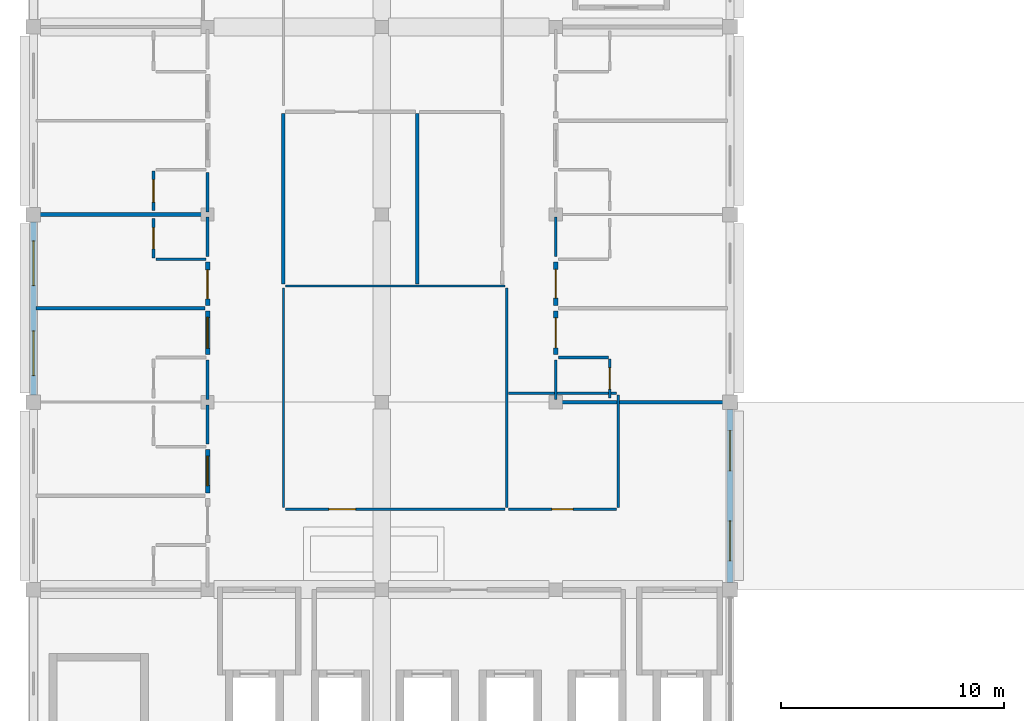
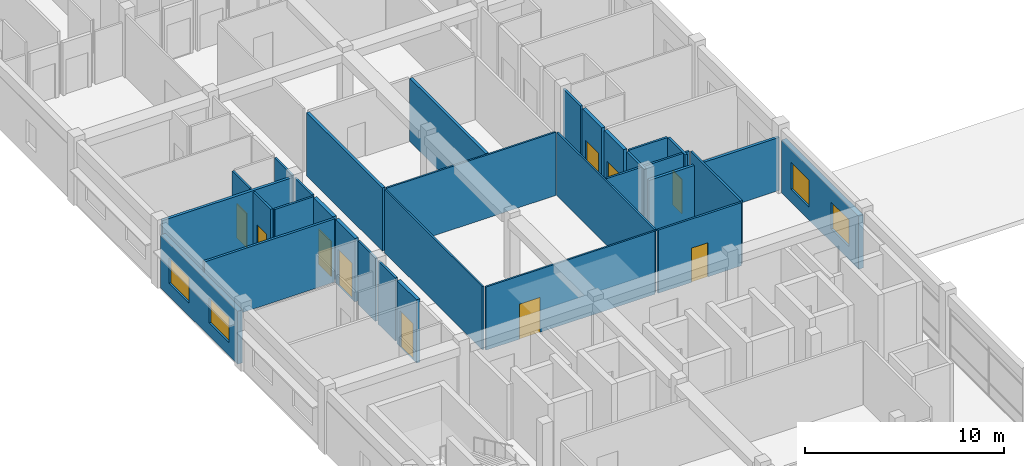
# One storey, part 15 of 32: 30 walls, 10 doors, 4 windows, 14 openings.
"""IFC4 building model written with IfcOpenShell, lengths in metres."""

from ifc_helpers import new_model, si_unit, direction, frame, frame_2d, origin, place, context, subcontext, project, spatial, rectangle, extrude, material, layer, layer_set, type_object, element, fill, save


model = new_model("IFC4")

# Units and contexts
model_context = context("Model", 3, precision=1e-05, world=origin(), true_north=direction((0.0, 1.0)))
body_context = subcontext(model_context, "Body", "Model", "MODEL_VIEW")
ifc_project = project(units=[si_unit("LENGTHUNIT", "METRE"), si_unit("AREAUNIT", "SQUARE_METRE"), si_unit("VOLUMEUNIT", "CUBIC_METRE"), si_unit("PLANEANGLEUNIT", "RADIAN"), si_unit("MASSUNIT", "GRAM", prefix="KILO"), si_unit("THERMODYNAMICTEMPERATUREUNIT", "KELVIN"), si_unit("POWERUNIT", "WATT")], contexts=[model_context])

# Site, building, storey
site_placement = place(None, origin())
site = spatial("IfcSite", under=ifc_project, at=site_placement, CompositionType="ELEMENT")
building_placement = place(site_placement, origin())
building = spatial("IfcBuilding", under=site, at=building_placement, Name="Srebrne Nadtorze General Hospital", CompositionType="ELEMENT")
storey_placement = place(building_placement, frame((0.0, 0.0, 29.699951171875)))
storey = spatial("IfcBuildingStorey", under=building, at=storey_placement, Name="L07", CompositionType="ELEMENT", Elevation=29.699951171875)

# Walls
ifc_material_1 = material(Name="Gypsum Healthcare Partition")
ifc_layer_1 = layer(ifc_material_1, 0.139892578125)
ifc_layer_set_1 = layer_set([ifc_layer_1], Name="Gypsum Healthcare Partition")
wall_type_1 = type_object("IfcWallType", Name="Clinical partition 140", PredefinedType="PARTITIONING", material=ifc_layer_set_1)
wall_1_placement = place(storey_placement, frame((23.52001953125, 63.0, 0.0), z_axis=(0.0, 0.0, 1.0), x_axis=(1.0, 0.0, 0.0)))
element("IfcWall", 1, at=wall_1_placement, inside=storey, type_object=wall_type_1, Name="Ward inter-room partition WL-INT-L07-2289", PredefinedType="PARTITIONING", context=body_context, shape_type="SweptSolid", body=[
    extrude(rectangle(XDim=7.56005859375, YDim=0.139892578125, at=frame_2d((3.780029296875, 0.0))), origin(), (0.0, 0.0, 1.0), 3.880126953125),
])
ifc_material_2 = material(Name="Gypsum Healthcare Partition")
ifc_layer_2 = layer(ifc_material_2, 0.159912109375)
ifc_layer_set_2 = layer_set([ifc_layer_2], Name="Gypsum Healthcare Partition")
wall_type_2 = type_object("IfcWallType", Name="Clinical partition 160", PredefinedType="PARTITIONING", material=ifc_layer_set_2)
wall_2_placement = place(storey_placement, frame((23.52001953125, 67.199951171875, 0.0), z_axis=(0.0, 0.0, 1.0), x_axis=(1.0, 0.0, 0.0)))
element("IfcWall", 2, at=wall_2_placement, inside=storey, type_object=wall_type_2, Name="Ward inter-room partition WL-INT-L07-2294", PredefinedType="PARTITIONING", context=body_context, shape_type="SweptSolid", body=[
    extrude(rectangle(XDim=7.56005859375, YDim=0.159912109375, at=frame_2d((3.780029296875, 0.0))), origin(), (0.0, 0.0, 1.0), 3.880126953125),
])
wall_3_placement = place(storey_placement, frame((46.919921875, 58.800048828125, 0.0), z_axis=(0.0, 0.0, 1.0), x_axis=(1.0, 0.0, 0.0)))
element("IfcWall", 3, at=wall_3_placement, inside=storey, type_object=wall_type_2, Name="Ward inter-room partition WL-INT-L07-2309", PredefinedType="PARTITIONING", context=body_context, shape_type="SweptSolid", body=[
    extrude(rectangle(XDim=7.56005859375, YDim=0.159912109375, at=frame_2d((3.780029296875, 0.0))), origin(), (0.0, 0.0, 1.0), 3.25),
])
for number, where, z_axis, x_axis, name in (
    (4, (34.60009765625, 64.0849609375, 0.0), (0.0, 0.0, 1.0), (0.0, 1.0, 0.0), "Clean Medication Preparation Suite wall WL-INT-L07-2426"),
    (5, (40.60009765625, 64.0849609375, 0.0), (0.0, 0.0, 1.0), (0.0, 1.0, 0.0), "Clean Medication Preparation Suite wall WL-INT-L07-2427"),
):
    element("IfcWall", number, at=place(storey_placement, frame(where, z_axis=z_axis, x_axis=x_axis)), inside=storey, type_object=wall_type_2, Name=name, PredefinedType="PARTITIONING", context=body_context, shape_type="SweptSolid", body=[
        extrude(rectangle(XDim=7.630126953125, YDim=0.159912109375, at=frame_2d((3.81494140625, 0.0))), origin(), (0.0, 0.0, 1.0), 3.880126953125),
    ])

# Wall, opening, door
ifc_material_3 = material(Name="Gypsum Healthcare Partition")
ifc_layer_3 = layer(ifc_material_3, 0.199951171875)
ifc_layer_set_3 = layer_set([ifc_layer_3], Name="Gypsum Healthcare Partition")
wall_type_3 = type_object("IfcWallType", Name="Compartment wall 200", PredefinedType="STANDARD", material=ifc_layer_set_3)
wall_4_placement = place(storey_placement, frame((31.199951171875, 54.719970703125, 0.0), z_axis=(0.0, 0.0, 1.0), x_axis=(0.0, 1.0, 0.0)))
wall_4 = element("IfcWall", 6, at=wall_4_placement, inside=storey, type_object=wall_type_3, Name="Ward corridor wall WL-INT-L07-2285", PredefinedType="STANDARD", context=body_context, shape_type="SweptSolid", body=[
    extrude(rectangle(XDim=1.9599609375, YDim=0.199951171875, at=frame_2d((0.97998046875, 0.0))), origin(), (0.0, 0.0, 1.0), 3.880126953125),
])
opening_1_placement = place(wall_4_placement, frame((0.340087890625, 0.0, 0.0)))
opening_1 = element("IfcOpeningElement", 7, at=opening_1_placement, cuts=wall_4, Name="Opening D-L07-0503", PredefinedType="OPENING", context=body_context, shape_type="SweptSolid", body=[
    extrude(rectangle(XDim=1.320068359375, YDim=2.199951171875, at=frame_2d((0.66015625, 1.10009765625))), frame((0.0, 0.11181640625, 0.0), z_axis=(0.0, -1.0, 0.0), x_axis=(1.0, 0.0, 0.0)), (0.0, 0.0, 1.0), 0.223876953125),
])
ifc_material_4 = material(Name="Anodised Aluminium", Category="aluminium")
door_type_1 = type_object("IfcDoorType", Name="Single leaf door 1320x2200", OperationType="NOTDEFINED", PredefinedType="DOOR", material=ifc_material_4)
door_1_placement = place(opening_1_placement, origin())
door_1 = element("IfcDoor", 8, at=door_1_placement, inside=storey, type_object=door_type_1, Name="Ward patient room door D-L07-0503", OperationType="SINGLE_SWING_RIGHT", OverallHeight=2.199951171875, OverallWidth=1.320068359375, PredefinedType="DOOR", context=body_context, shape_type="SweptSolid", body=[
    extrude(rectangle(XDim=1.320068359375, YDim=2.199951171875, at=frame_2d((0.66015625, 1.10009765625))), frame((0.0, 0.02490234375, 0.0), z_axis=(0.0, -1.0, 0.0), x_axis=(1.0, 0.0, 0.0)), (0.0, 0.0, 1.0), 0.050048828125),
])
fill(opening_1, door_1)

wall_5_placement = place(storey_placement, frame((31.199951171875, 60.919921875, 0.0), z_axis=(0.0, 0.0, 1.0), x_axis=(0.0, 1.0, 0.0)))
wall_5 = element("IfcWall", 9, at=wall_5_placement, inside=storey, type_object=wall_type_3, Name="Ward corridor wall WL-INT-L07-2290", PredefinedType="STANDARD", context=body_context, shape_type="SweptSolid", body=[
    extrude(rectangle(XDim=1.9599609375, YDim=0.199951171875, at=frame_2d((0.97998046875, 0.0))), origin(), (0.0, 0.0, 1.0), 3.880126953125),
])
opening_2_placement = place(wall_5_placement, frame((0.2900390625, 0.0, 0.0)))
opening_2 = element("IfcOpeningElement", 10, at=opening_2_placement, cuts=wall_5, Name="Opening D-L07-0505", PredefinedType="OPENING", context=body_context, shape_type="SweptSolid", body=[
    extrude(rectangle(XDim=1.3798828125, YDim=2.199951171875, at=frame_2d((0.68994140625, 1.10009765625))), frame((0.0, 0.11181640625, 0.0), z_axis=(0.0, -1.0, 0.0), x_axis=(1.0, 0.0, 0.0)), (0.0, 0.0, 1.0), 0.223876953125),
])
ifc_material_5 = material(Name="Anodised Aluminium", Category="aluminium")
door_type_2 = type_object("IfcDoorType", Name="Single leaf door 1380x2200", OperationType="NOTDEFINED", PredefinedType="DOOR", material=ifc_material_5)
door_2_placement = place(opening_2_placement, origin())
door_2 = element("IfcDoor", 11, at=door_2_placement, inside=storey, type_object=door_type_2, Name="Ward patient room door D-L07-0505", OperationType="SINGLE_SWING_LEFT", OverallHeight=2.199951171875, OverallWidth=1.3798828125, PredefinedType="DOOR", context=body_context, shape_type="SweptSolid", body=[
    extrude(rectangle(XDim=1.3798828125, YDim=2.199951171875, at=frame_2d((0.68994140625, 1.10009765625))), frame((0.0, 0.02490234375, 0.0), z_axis=(0.0, -1.0, 0.0), x_axis=(1.0, 0.0, 0.0)), (0.0, 0.0, 1.0), 0.050048828125),
])
fill(opening_2, door_2)

wall_6_placement = place(storey_placement, frame((31.199951171875, 63.1201171875, 0.0), z_axis=(0.0, 0.0, 1.0), x_axis=(0.0, 1.0, 0.0)))
wall_6 = element("IfcWall", 12, at=wall_6_placement, inside=storey, type_object=wall_type_3, Name="Ward corridor wall WL-INT-L07-2295", PredefinedType="STANDARD", context=body_context, shape_type="SweptSolid", body=[
    extrude(rectangle(XDim=1.9599609375, YDim=0.199951171875, at=frame_2d((0.97998046875, 0.0))), origin(), (0.0, 0.0, 1.0), 3.880126953125),
])
opening_3_placement = place(wall_6_placement, frame((0.304931640625, 0.0, 0.0)))
opening_3 = element("IfcOpeningElement", 13, at=opening_3_placement, cuts=wall_6, Name="Opening D-L07-0507", PredefinedType="OPENING", context=body_context, shape_type="SweptSolid", body=[
    extrude(rectangle(XDim=1.300048828125, YDim=2.14990234375, at=frame_2d((0.64990234375, 1.074951171875))), frame((0.0, 0.11181640625, 0.0), z_axis=(0.0, -1.0, 0.0), x_axis=(1.0, 0.0, 0.0)), (0.0, 0.0, 1.0), 0.223876953125),
])
ifc_material_6 = material(Name="Anodised Aluminium", Category="aluminium")
door_type_3 = type_object("IfcDoorType", Name="Single leaf door 1300x2150", OperationType="NOTDEFINED", PredefinedType="DOOR", material=ifc_material_6)
door_3_placement = place(opening_3_placement, origin())
door_3 = element("IfcDoor", 14, at=door_3_placement, inside=storey, type_object=door_type_3, Name="Ward patient room door D-L07-0507", OperationType="SINGLE_SWING_RIGHT", OverallHeight=2.14990234375, OverallWidth=1.300048828125, PredefinedType="DOOR", context=body_context, shape_type="SweptSolid", body=[
    extrude(rectangle(XDim=1.300048828125, YDim=2.14990234375, at=frame_2d((0.64990234375, 1.074951171875))), frame((0.0, 0.02490234375, 0.0), z_axis=(0.0, -1.0, 0.0), x_axis=(1.0, 0.0, 0.0)), (0.0, 0.0, 1.0), 0.050048828125),
])
fill(opening_3, door_3)

wall_7_placement = place(storey_placement, frame((46.800048828125, 60.919921875, 0.0), z_axis=(0.0, 0.0, 1.0), x_axis=(0.0, 1.0, 0.0)))
wall_7 = element("IfcWall", 15, at=wall_7_placement, inside=storey, type_object=wall_type_3, Name="Ward corridor wall WL-INT-L07-2311", PredefinedType="STANDARD", context=body_context, shape_type="SweptSolid", body=[
    extrude(rectangle(XDim=1.9599609375, YDim=0.199951171875, at=frame_2d((0.97998046875, 0.0))), origin(), (0.0, 0.0, 1.0), 3.880126953125),
])
opening_4_placement = place(wall_7_placement, frame((0.304931640625, 0.0, 0.0)))
opening_4 = element("IfcOpeningElement", 16, at=opening_4_placement, cuts=wall_7, Name="Opening D-L07-0513", PredefinedType="OPENING", context=body_context, shape_type="SweptSolid", body=[
    extrude(rectangle(XDim=1.35009765625, YDim=2.14990234375, at=frame_2d((0.675048828125, 1.074951171875))), frame((0.0, 0.11181640625, 0.0), z_axis=(0.0, -1.0, 0.0), x_axis=(1.0, 0.0, 0.0)), (0.0, 0.0, 1.0), 0.223876953125),
])
ifc_material_7 = material(Name="Anodised Aluminium", Category="aluminium")
door_type_4 = type_object("IfcDoorType", Name="Single leaf door 1350x2150", OperationType="NOTDEFINED", PredefinedType="DOOR", material=ifc_material_7)
door_4_placement = place(opening_4_placement, frame((1.35009765625, 0.0, 0.0), z_axis=(0.0, 0.0, 1.0), x_axis=(-1.0, 0.0, 0.0)))
door_4 = element("IfcDoor", 17, at=door_4_placement, inside=storey, type_object=door_type_4, Name="Ward patient room door D-L07-0513", OperationType="SINGLE_SWING_LEFT", OverallHeight=2.14990234375, OverallWidth=1.35009765625, PredefinedType="DOOR", context=body_context, shape_type="SweptSolid", body=[
    extrude(rectangle(XDim=1.35009765625, YDim=2.14990234375, at=frame_2d((0.675048828125, 1.074951171875))), frame((0.0, 0.02490234375, 0.0), z_axis=(0.0, -1.0, 0.0), x_axis=(1.0, 0.0, 0.0)), (0.0, 0.0, 1.0), 0.050048828125),
])
fill(opening_4, door_4)

wall_8_placement = place(storey_placement, frame((46.800048828125, 63.1201171875, 0.0), z_axis=(0.0, 0.0, 1.0), x_axis=(0.0, 1.0, 0.0)))
wall_8 = element("IfcWall", 18, at=wall_8_placement, inside=storey, type_object=wall_type_3, Name="Ward corridor wall WL-INT-L07-2316", PredefinedType="STANDARD", context=body_context, shape_type="SweptSolid", body=[
    extrude(rectangle(XDim=1.9599609375, YDim=0.199951171875, at=frame_2d((0.97998046875, 0.0))), origin(), (0.0, 0.0, 1.0), 3.880126953125),
])
opening_5_placement = place(wall_8_placement, frame((0.340087890625, 0.0, 0.0)))
opening_5 = element("IfcOpeningElement", 19, at=opening_5_placement, cuts=wall_8, Name="Opening D-L07-0515", PredefinedType="OPENING", context=body_context, shape_type="SweptSolid", body=[
    extrude(rectangle(XDim=1.280029296875, YDim=2.14990234375, at=frame_2d((0.64013671875, 1.074951171875))), frame((0.0, 0.11181640625, 0.0), z_axis=(0.0, -1.0, 0.0), x_axis=(1.0, 0.0, 0.0)), (0.0, 0.0, 1.0), 0.223876953125),
])
ifc_material_8 = material(Name="Anodised Aluminium", Category="aluminium")
door_type_5 = type_object("IfcDoorType", Name="Single leaf door 1280x2150", OperationType="NOTDEFINED", PredefinedType="DOOR", material=ifc_material_8)
door_5_placement = place(opening_5_placement, frame((1.280029296875, 0.0, 0.0), z_axis=(0.0, 0.0, 1.0), x_axis=(-1.0, 0.0, 0.0)))
door_5 = element("IfcDoor", 20, at=door_5_placement, inside=storey, type_object=door_type_5, Name="Ward patient room door D-L07-0515", OperationType="SINGLE_SWING_LEFT", OverallHeight=2.14990234375, OverallWidth=1.280029296875, PredefinedType="DOOR", context=body_context, shape_type="SweptSolid", body=[
    extrude(rectangle(XDim=1.280029296875, YDim=2.14990234375, at=frame_2d((0.64013671875, 1.074951171875))), frame((0.0, 0.02490234375, 0.0), z_axis=(0.0, -1.0, 0.0), x_axis=(1.0, 0.0, 0.0)), (0.0, 0.0, 1.0), 0.050048828125),
])
fill(opening_5, door_5)

# Walls
ifc_material_9 = material(Name="Gypsum Healthcare Partition")
ifc_layer_4 = layer(ifc_material_9, 0.1201171875)
ifc_layer_set_4 = layer_set([ifc_layer_4], Name="Gypsum Healthcare Partition")
wall_type_4 = type_object("IfcWallType", Name="En-suite partition 120", PredefinedType="PARTITIONING", material=ifc_layer_set_4)
for number, where, z_axis, x_axis, name in (
    (21, (31.199951171875, 56.919921875, 0.0), (0.0, 0.0, 1.0), (0.0, 1.0, 0.0), "En-suite corridor wall WL-INT-L07-2286"),
    (22, (31.199951171875, 58.919921875, 0.0), (0.0, 0.0, 1.0), (0.0, 1.0, 0.0), "En-suite corridor wall WL-INT-L07-2291"),
    (23, (31.199951171875, 65.320068359375, 0.0), (0.0, 0.0, 1.0), (0.0, 1.0, 0.0), "En-suite corridor wall WL-INT-L07-2296"),
):
    element("IfcWall", number, at=place(storey_placement, frame(where, z_axis=z_axis, x_axis=x_axis)), inside=storey, type_object=wall_type_4, Name=name, PredefinedType="PARTITIONING", context=body_context, shape_type="SweptSolid", body=[
        extrude(rectangle(XDim=1.760009765625, YDim=0.1201171875, at=frame_2d((0.8798828125, 0.0))), origin(), (0.0, 0.0, 1.0), 3.880126953125),
    ])
wall_9_placement = place(storey_placement, frame((28.89990234375, 65.199951171875, 0.0), z_axis=(0.0, 0.0, 1.0), x_axis=(1.0, 0.0, 0.0)))
element("IfcWall", 24, at=wall_9_placement, inside=storey, type_object=wall_type_4, Name="En-suite wet wall WL-INT-L07-2297", PredefinedType="PARTITIONING", context=body_context, shape_type="SweptSolid", body=[
    extrude(rectangle(XDim=2.239990234375, YDim=0.1201171875, at=frame_2d((1.1201171875, 0.0))), origin(), (0.0, 0.0, 1.0), 3.880126953125),
])

# Wall, opening, door
wall_10_placement = place(storey_placement, frame((28.780029296875, 65.260009765625, 0.0), z_axis=(0.0, 0.0, 1.0), x_axis=(0.0, 1.0, 0.0)))
wall_10 = element("IfcWall", 25, at=wall_10_placement, inside=storey, type_object=wall_type_4, Name="En-suite wet wall WL-INT-L07-2298", PredefinedType="PARTITIONING", context=body_context, shape_type="SweptSolid", body=[
    extrude(rectangle(XDim=1.760009765625, YDim=0.1201171875, at=frame_2d((0.8798828125, 0.0))), origin(), (0.0, 0.0, 1.0), 3.880126953125),
])
opening_6_placement = place(wall_10_placement, frame((0.405029296875, 0.0, 0.0)))
opening_6 = element("IfcOpeningElement", 26, at=opening_6_placement, cuts=wall_10, Name="Opening D-L07-0508", PredefinedType="OPENING", context=body_context, shape_type="SweptSolid", body=[
    extrude(rectangle(XDim=0.949951171875, YDim=2.10009765625, at=frame_2d((0.47509765625, 1.050048828125))), frame((0.0, 0.072021484375, 0.0), z_axis=(0.0, -1.0, 0.0), x_axis=(1.0, 0.0, 0.0)), (0.0, 0.0, 1.0), 0.14404296875),
])
ifc_material_10 = material(Name="Anodised Aluminium", Category="aluminium")
door_type_6 = type_object("IfcDoorType", Name="Single leaf door 950x2100", OperationType="NOTDEFINED", PredefinedType="DOOR", material=ifc_material_10)
door_6_placement = place(opening_6_placement, frame((0.949951171875, 0.0, 0.0), z_axis=(0.0, 0.0, 1.0), x_axis=(-1.0, 0.0, 0.0)))
door_6 = element("IfcDoor", 27, at=door_6_placement, inside=storey, type_object=door_type_6, Name="En-suite bathroom door D-L07-0508", OperationType="SINGLE_SWING_LEFT", OverallHeight=2.10009765625, OverallWidth=0.949951171875, PredefinedType="DOOR", context=body_context, shape_type="SweptSolid", body=[
    extrude(rectangle(XDim=0.949951171875, YDim=2.10009765625, at=frame_2d((0.47509765625, 1.050048828125))), frame((0.0, 0.02490234375, 0.0), z_axis=(0.0, -1.0, 0.0), x_axis=(1.0, 0.0, 0.0)), (0.0, 0.0, 1.0), 0.050048828125),
])
fill(opening_6, door_6)

# Wall
wall_11_placement = place(storey_placement, frame((31.199951171875, 67.320068359375, 0.0), z_axis=(0.0, 0.0, 1.0), x_axis=(0.0, 1.0, 0.0)))
element("IfcWall", 28, at=wall_11_placement, inside=storey, type_object=wall_type_4, Name="En-suite corridor wall WL-INT-L07-2301", PredefinedType="PARTITIONING", context=body_context, shape_type="SweptSolid", body=[
    extrude(rectangle(XDim=1.760009765625, YDim=0.1201171875, at=frame_2d((0.8798828125, 0.0))), origin(), (0.0, 0.0, 1.0), 3.880126953125),
])

# Wall, opening, door
wall_12_placement = place(storey_placement, frame((28.780029296875, 67.3798828125, 0.0), z_axis=(0.0, 0.0, 1.0), x_axis=(0.0, 1.0, 0.0)))
wall_12 = element("IfcWall", 29, at=wall_12_placement, inside=storey, type_object=wall_type_4, Name="En-suite wet wall WL-INT-L07-2303", PredefinedType="PARTITIONING", context=body_context, shape_type="SweptSolid", body=[
    extrude(rectangle(XDim=1.760009765625, YDim=0.1201171875, at=frame_2d((0.8798828125, 0.0))), origin(), (0.0, 0.0, 1.0), 3.880126953125),
])
opening_7_placement = place(wall_12_placement, frame((0.3798828125, 0.0, 0.0)))
opening_7 = element("IfcOpeningElement", 30, at=opening_7_placement, cuts=wall_12, Name="Opening D-L07-0510", PredefinedType="OPENING", context=body_context, shape_type="SweptSolid", body=[
    extrude(rectangle(XDim=1.0, YDim=2.10009765625, at=frame_2d((0.5, 1.050048828125))), frame((0.0, 0.072021484375, 0.0), z_axis=(0.0, -1.0, 0.0), x_axis=(1.0, 0.0, 0.0)), (0.0, 0.0, 1.0), 0.14404296875),
])
ifc_material_11 = material(Name="Anodised Aluminium", Category="aluminium")
door_type_7 = type_object("IfcDoorType", Name="Single leaf door 1000x2100", OperationType="NOTDEFINED", PredefinedType="DOOR", material=ifc_material_11)
door_7_placement = place(opening_7_placement, frame((1.0, 0.0, 0.0), z_axis=(0.0, 0.0, 1.0), x_axis=(-1.0, 0.0, 0.0)))
door_7 = element("IfcDoor", 31, at=door_7_placement, inside=storey, type_object=door_type_7, Name="En-suite bathroom door D-L07-0510", OperationType="SINGLE_SWING_LEFT", OverallHeight=2.10009765625, OverallWidth=1.0, PredefinedType="DOOR", context=body_context, shape_type="SweptSolid", body=[
    extrude(rectangle(XDim=1.0, YDim=2.10009765625, at=frame_2d((0.5, 1.050048828125))), frame((0.0, 0.02490234375, 0.0), z_axis=(0.0, -1.0, 0.0), x_axis=(1.0, 0.0, 0.0)), (0.0, 0.0, 1.0), 0.050048828125),
])
fill(opening_7, door_7)

# Walls
wall_13_placement = place(storey_placement, frame((46.800048828125, 58.919921875, 0.0), z_axis=(0.0, 0.0, 1.0), x_axis=(0.0, 1.0, 0.0)))
element("IfcWall", 32, at=wall_13_placement, inside=storey, type_object=wall_type_4, Name="En-suite corridor wall WL-INT-L07-2312", PredefinedType="PARTITIONING", context=body_context, shape_type="SweptSolid", body=[
    extrude(rectangle(XDim=1.760009765625, YDim=0.1201171875, at=frame_2d((0.8798828125, 0.0))), origin(), (0.0, 0.0, 1.0), 3.880126953125),
])
wall_14_placement = place(storey_placement, frame((46.919921875, 60.800048828125, 0.0), z_axis=(0.0, 0.0, 1.0), x_axis=(1.0, 0.0, 0.0)))
element("IfcWall", 33, at=wall_14_placement, inside=storey, type_object=wall_type_4, Name="En-suite wet wall WL-INT-L07-2313", PredefinedType="PARTITIONING", context=body_context, shape_type="SweptSolid", body=[
    extrude(rectangle(XDim=2.239990234375, YDim=0.1201171875, at=frame_2d((1.1201171875, 0.0))), origin(), (0.0, 0.0, 1.0), 3.880126953125),
])

# Wall, opening, door
wall_15_placement = place(storey_placement, frame((49.219970703125, 58.97998046875, 0.0), z_axis=(0.0, 0.0, 1.0), x_axis=(0.0, 1.0, 0.0)))
wall_15 = element("IfcWall", 34, at=wall_15_placement, inside=storey, type_object=wall_type_4, Name="En-suite wet wall WL-INT-L07-2314", PredefinedType="PARTITIONING", context=body_context, shape_type="SweptSolid", body=[
    extrude(rectangle(XDim=1.760009765625, YDim=0.1201171875, at=frame_2d((0.8798828125, 0.0))), origin(), (0.0, 0.0, 1.0), 3.880126953125),
])
opening_8_placement = place(wall_15_placement, frame((0.405029296875, 0.0, 0.0)))
opening_8 = element("IfcOpeningElement", 35, at=opening_8_placement, cuts=wall_15, Name="Opening D-L07-0514", PredefinedType="OPENING", context=body_context, shape_type="SweptSolid", body=[
    extrude(rectangle(XDim=0.949951171875, YDim=2.10009765625, at=frame_2d((0.47509765625, 1.050048828125))), frame((0.0, 0.072021484375, 0.0), z_axis=(0.0, -1.0, 0.0), x_axis=(1.0, 0.0, 0.0)), (0.0, 0.0, 1.0), 0.14404296875),
])
door_8_placement = place(opening_8_placement, origin())
door_8 = element("IfcDoor", 36, at=door_8_placement, inside=storey, type_object=door_type_6, Name="En-suite bathroom door D-L07-0514", OperationType="SINGLE_SWING_LEFT", OverallHeight=2.10009765625, OverallWidth=0.949951171875, PredefinedType="DOOR", context=body_context, shape_type="SweptSolid", body=[
    extrude(rectangle(XDim=0.949951171875, YDim=2.10009765625, at=frame_2d((0.47509765625, 1.050048828125))), frame((0.0, 0.02490234375, 0.0), z_axis=(0.0, -1.0, 0.0), x_axis=(1.0, 0.0, 0.0)), (0.0, 0.0, 1.0), 0.050048828125),
])
fill(opening_8, door_8)

# Wall
wall_16_placement = place(storey_placement, frame((46.800048828125, 65.320068359375, 0.0), z_axis=(0.0, 0.0, 1.0), x_axis=(0.0, 1.0, 0.0)))
element("IfcWall", 37, at=wall_16_placement, inside=storey, type_object=wall_type_4, Name="En-suite corridor wall WL-INT-L07-2317", PredefinedType="PARTITIONING", context=body_context, shape_type="SweptSolid", body=[
    extrude(rectangle(XDim=1.760009765625, YDim=0.1201171875, at=frame_2d((0.8798828125, 0.0))), origin(), (0.0, 0.0, 1.0), 3.880126953125),
])

# Wall, opening, door
wall_17_placement = place(storey_placement, frame((44.68505859375, 54.0, 0.0), z_axis=(0.0, 0.0, 1.0), x_axis=(1.0, 0.0, 0.0)))
wall_17 = element("IfcWall", 38, at=wall_17_placement, inside=storey, type_object=wall_type_4, Name="Accessible WC wall WL-INT-L07-2433", PredefinedType="PARTITIONING", context=body_context, shape_type="SweptSolid", body=[
    extrude(rectangle(XDim=4.829833984375, YDim=0.1201171875, at=frame_2d((2.4150390625, 0.0))), origin(), (0.0, 0.0, 1.0), 3.880126953125),
])
opening_9_placement = place(wall_17_placement, frame((1.93994140625, 0.0, 0.0)))
opening_9 = element("IfcOpeningElement", 39, at=opening_9_placement, cuts=wall_17, Name="Opening D-L07-0561", PredefinedType="OPENING", context=body_context, shape_type="SweptSolid", body=[
    extrude(rectangle(XDim=0.949951171875, YDim=2.10009765625, at=frame_2d((0.47509765625, 1.050048828125))), frame((0.0, 0.072021484375, 0.0), z_axis=(0.0, -1.0, 0.0), x_axis=(1.0, 0.0, 0.0)), (0.0, 0.0, 1.0), 0.14404296875),
])
door_9_placement = place(opening_9_placement, origin())
door_9 = element("IfcDoor", 40, at=door_9_placement, inside=storey, type_object=door_type_6, Name="Accessible WC door D-L07-0561", OperationType="SINGLE_SWING_LEFT", OverallHeight=2.10009765625, OverallWidth=0.949951171875, PredefinedType="DOOR", context=body_context, shape_type="SweptSolid", body=[
    extrude(rectangle(XDim=0.949951171875, YDim=2.10009765625, at=frame_2d((0.47509765625, 1.050048828125))), frame((0.0, 0.02490234375, 0.0), z_axis=(0.0, -1.0, 0.0), x_axis=(1.0, 0.0, 0.0)), (0.0, 0.0, 1.0), 0.050048828125),
])
fill(opening_9, door_9)

# Walls
wall_18_placement = place(storey_placement, frame((44.68505859375, 59.199951171875, 0.0), z_axis=(0.0, 0.0, 1.0), x_axis=(1.0, 0.0, 0.0)))
element("IfcWall", 41, at=wall_18_placement, inside=storey, type_object=wall_type_4, Name="Accessible WC wall WL-INT-L07-2434", PredefinedType="PARTITIONING", context=body_context, shape_type="SweptSolid", body=[
    extrude(rectangle(XDim=4.829833984375, YDim=0.1201171875, at=frame_2d((2.4150390625, 0.0))), origin(), (0.0, 0.0, 1.0), 3.880126953125),
])
wall_19_placement = place(storey_placement, frame((49.60009765625, 54.0849609375, 0.0), z_axis=(0.0, 0.0, 1.0), x_axis=(0.0, 1.0, 0.0)))
element("IfcWall", 42, at=wall_19_placement, inside=storey, type_object=wall_type_4, Name="Accessible WC wall WL-INT-L07-2435", PredefinedType="PARTITIONING", context=body_context, shape_type="SweptSolid", body=[
    extrude(rectangle(XDim=5.030029296875, YDim=0.1201171875, at=frame_2d((2.51513671875, 0.0))), origin(), (0.0, 0.0, 1.0), 3.880126953125),
])

# Wall, opening, door
ifc_material_12 = material(Name="Gypsum Healthcare Partition")
ifc_layer_5 = layer(ifc_material_12, 0.10009765625)
ifc_layer_set_5 = layer_set([ifc_layer_5], Name="Gypsum Healthcare Partition")
wall_type_5 = type_object("IfcWallType", Name="Shaft lining wall 100", PredefinedType="PARTITIONING", material=ifc_layer_set_5)
wall_20_placement = place(storey_placement, frame((34.68505859375, 54.0, 0.0), z_axis=(0.0, 0.0, 1.0), x_axis=(1.0, 0.0, 0.0)))
wall_20 = element("IfcWall", 43, at=wall_20_placement, inside=storey, type_object=wall_type_5, Name="Nursing Station wall WL-INT-L07-2421", PredefinedType="PARTITIONING", context=body_context, shape_type="SweptSolid", body=[
    extrude(rectangle(XDim=9.829833984375, YDim=0.10009765625, at=frame_2d((4.9150390625, 0.0))), origin(), (0.0, 0.0, 1.0), 3.880126953125),
])
opening_10_placement = place(wall_20_placement, frame((1.943603515625, 0.0, 0.0)))
opening_10 = element("IfcOpeningElement", 44, at=opening_10_placement, cuts=wall_20, Name="Opening D-L07-0557", PredefinedType="OPENING", context=body_context, shape_type="SweptSolid", body=[
    extrude(rectangle(XDim=1.199951171875, YDim=2.14990234375, at=frame_2d((0.60009765625, 1.074951171875))), frame((0.0, 0.06201171875, 0.0), z_axis=(0.0, -1.0, 0.0), x_axis=(1.0, 0.0, 0.0)), (0.0, 0.0, 1.0), 0.1240234375),
])
ifc_material_13 = material(Name="Anodised Aluminium", Category="aluminium")
door_type_8 = type_object("IfcDoorType", Name="Single leaf door 1200x2150", OperationType="NOTDEFINED", PredefinedType="DOOR", material=ifc_material_13)
door_10_placement = place(opening_10_placement, origin())
door_10 = element("IfcDoor", 45, at=door_10_placement, inside=storey, type_object=door_type_8, Name="Nursing Station door D-L07-0557", OperationType="SINGLE_SWING_LEFT", OverallHeight=2.14990234375, OverallWidth=1.199951171875, PredefinedType="DOOR", context=body_context, shape_type="SweptSolid", body=[
    extrude(rectangle(XDim=1.199951171875, YDim=2.14990234375, at=frame_2d((0.60009765625, 1.074951171875))), frame((0.0, 0.02490234375, 0.0), z_axis=(0.0, -1.0, 0.0), x_axis=(1.0, 0.0, 0.0)), (0.0, 0.0, 1.0), 0.050048828125),
])
fill(opening_10, door_10)

# Walls
wall_21_placement = place(storey_placement, frame((34.68505859375, 64.0, 0.0), z_axis=(0.0, 0.0, 1.0), x_axis=(1.0, 0.0, 0.0)))
element("IfcWall", 46, at=wall_21_placement, inside=storey, type_object=wall_type_5, Name="Nursing Station wall WL-INT-L07-2422", PredefinedType="PARTITIONING", context=body_context, shape_type="SweptSolid", body=[
    extrude(rectangle(XDim=9.829833984375, YDim=0.10009765625, at=frame_2d((4.9150390625, 0.0))), origin(), (0.0, 0.0, 1.0), 3.880126953125),
])
for number, where, z_axis, x_axis, name in (
    (47, (34.60009765625, 54.0849609375, 0.0), (0.0, 0.0, 1.0), (0.0, 1.0, 0.0), "Nursing Station wall WL-INT-L07-2423"),
    (48, (44.60009765625, 54.0849609375, 0.0), (0.0, 0.0, 1.0), (0.0, 1.0, 0.0), "Nursing Station wall WL-INT-L07-2424"),
):
    element("IfcWall", number, at=place(storey_placement, frame(where, z_axis=z_axis, x_axis=x_axis)), inside=storey, type_object=wall_type_5, Name=name, PredefinedType="PARTITIONING", context=body_context, shape_type="SweptSolid", body=[
        extrude(rectangle(XDim=9.830078125, YDim=0.10009765625, at=frame_2d((4.9150390625, 0.0))), origin(), (0.0, 0.0, 1.0), 3.880126953125),
    ])

# Wall, openings, windows
ifc_material_14 = material(Name="Concrete C35/45 precast", Category="concrete")
ifc_layer_6 = layer(ifc_material_14, 0.280029296875)
ifc_layer_set_6 = layer_set([ifc_layer_6], Name="Concrete C35/45 precast")
wall_type_6 = type_object("IfcWallType", Name="Spandrel wall 280", PredefinedType="STANDARD", material=ifc_layer_set_6)
wall_22_placement = place(storey_placement, frame((23.39990234375, 59.125, 0.0), z_axis=(0.0, 0.0, 1.0), x_axis=(0.0, 1.0, 0.0)))
wall_22 = element("IfcWall", 49, at=wall_22_placement, inside=storey, type_object=wall_type_6, Name="Exterior wall WL-ENV-L07-0530", PredefinedType="STANDARD", context=body_context, shape_type="SweptSolid", body=[
    extrude(rectangle(XDim=7.75, YDim=0.280029296875, at=frame_2d((3.875, 0.0))), origin(), (0.0, 0.0, 1.0), 3.25),
])
opening_11_placement = place(wall_22_placement, frame((0.85888671875, 0.0, 0.800048828125)))
opening_11 = element("IfcOpeningElement", 50, at=opening_11_placement, cuts=wall_22, Name="Opening WN-L07-0890", PredefinedType="OPENING", context=body_context, shape_type="SweptSolid", body=[
    extrude(rectangle(XDim=2.0, YDim=1.550048828125, at=frame_2d((1.0, 0.77490234375))), frame((0.0, 0.15185546875, 0.0), z_axis=(0.0, -1.0, 0.0), x_axis=(1.0, 0.0, 0.0)), (0.0, 0.0, 1.0), 0.303955078125),
])
opening_12_placement = place(wall_22_placement, frame((4.89111328125, 0.0, 0.800048828125)))
opening_12 = element("IfcOpeningElement", 51, at=opening_12_placement, cuts=wall_22, Name="Opening WN-L07-0891", PredefinedType="OPENING", context=body_context, shape_type="SweptSolid", body=[
    extrude(rectangle(XDim=2.0, YDim=1.550048828125, at=frame_2d((1.0, 0.77490234375))), frame((0.0, 0.15185546875, 0.0), z_axis=(0.0, -1.0, 0.0), x_axis=(1.0, 0.0, 0.0)), (0.0, 0.0, 1.0), 0.303955078125),
])
ifc_material_15 = material(Name="Triple Low-E Glazing", Category="glass")
window_type_1 = type_object("IfcWindowType", Name="Punched clinical window 2000x1550", PartitioningType="DOUBLE_PANEL_VERTICAL", PredefinedType="WINDOW", material=ifc_material_15)
window_1_placement = place(opening_11_placement, origin())
window_1 = element("IfcWindow", 52, at=window_1_placement, inside=storey, type_object=window_type_1, Name="Clinical window WN-L07-0890", OverallHeight=1.550048828125, OverallWidth=2.0, PartitioningType="DOUBLE_PANEL_VERTICAL", PredefinedType="WINDOW", context=body_context, shape_type="SweptSolid", body=[
    extrude(rectangle(XDim=2.0, YDim=1.550048828125, at=frame_2d((1.0, 0.77490234375))), frame((0.0, 0.030029296875, 0.0), z_axis=(0.0, -1.0, 0.0), x_axis=(1.0, 0.0, 0.0)), (0.0, 0.0, 1.0), 0.06005859375),
])
fill(opening_11, window_1)
window_2_placement = place(opening_12_placement, origin())
window_2 = element("IfcWindow", 53, at=window_2_placement, inside=storey, type_object=window_type_1, Name="Clinical window WN-L07-0891", OverallHeight=1.550048828125, OverallWidth=2.0, PartitioningType="DOUBLE_PANEL_VERTICAL", PredefinedType="WINDOW", context=body_context, shape_type="SweptSolid", body=[
    extrude(rectangle(XDim=2.0, YDim=1.550048828125, at=frame_2d((1.0, 0.77490234375))), frame((0.0, 0.030029296875, 0.0), z_axis=(0.0, -1.0, 0.0), x_axis=(1.0, 0.0, 0.0)), (0.0, 0.0, 1.0), 0.06005859375),
])
fill(opening_12, window_2)

wall_23_placement = place(storey_placement, frame((54.60009765625, 50.72509765625, 0.0), z_axis=(0.0, 0.0, 1.0), x_axis=(0.0, 1.0, 0.0)))
wall_23 = element("IfcWall", 54, at=wall_23_placement, inside=storey, type_object=wall_type_6, Name="Exterior wall WL-ENV-L07-0535", PredefinedType="STANDARD", context=body_context, shape_type="SweptSolid", body=[
    extrude(rectangle(XDim=7.75, YDim=0.280029296875, at=frame_2d((3.875, 0.0))), origin(), (0.0, 0.0, 1.0), 3.25),
])
opening_13_placement = place(wall_23_placement, frame((0.958984375, 0.0, 0.800048828125)))
opening_13 = element("IfcOpeningElement", 55, at=opening_13_placement, cuts=wall_23, Name="Opening WN-L07-0898", PredefinedType="OPENING", context=body_context, shape_type="SweptSolid", body=[
    extrude(rectangle(XDim=1.800048828125, YDim=1.64990234375, at=frame_2d((0.89990234375, 0.824951171875))), frame((0.0, 0.15185546875, 0.0), z_axis=(0.0, -1.0, 0.0), x_axis=(1.0, 0.0, 0.0)), (0.0, 0.0, 1.0), 0.303955078125),
])
opening_14_placement = place(wall_23_placement, frame((4.990966796875, 0.0, 0.800048828125)))
opening_14 = element("IfcOpeningElement", 56, at=opening_14_placement, cuts=wall_23, Name="Opening WN-L07-0899", PredefinedType="OPENING", context=body_context, shape_type="SweptSolid", body=[
    extrude(rectangle(XDim=1.800048828125, YDim=1.64990234375, at=frame_2d((0.89990234375, 0.824951171875))), frame((0.0, 0.15185546875, 0.0), z_axis=(0.0, -1.0, 0.0), x_axis=(1.0, 0.0, 0.0)), (0.0, 0.0, 1.0), 0.303955078125),
])
ifc_material_16 = material(Name="Triple Low-E Glazing", Category="glass")
window_type_2 = type_object("IfcWindowType", Name="Punched clinical window 1800x1650", PartitioningType="DOUBLE_PANEL_VERTICAL", PredefinedType="WINDOW", material=ifc_material_16)
window_3_placement = place(opening_13_placement, origin())
window_3 = element("IfcWindow", 57, at=window_3_placement, inside=storey, type_object=window_type_2, Name="Clinical window WN-L07-0898", OverallHeight=1.64990234375, OverallWidth=1.800048828125, PartitioningType="DOUBLE_PANEL_VERTICAL", PredefinedType="WINDOW", context=body_context, shape_type="SweptSolid", body=[
    extrude(rectangle(XDim=1.800048828125, YDim=1.64990234375, at=frame_2d((0.89990234375, 0.824951171875))), frame((0.0, 0.030029296875, 0.0), z_axis=(0.0, -1.0, 0.0), x_axis=(1.0, 0.0, 0.0)), (0.0, 0.0, 1.0), 0.06005859375),
])
fill(opening_13, window_3)
window_4_placement = place(opening_14_placement, origin())
window_4 = element("IfcWindow", 58, at=window_4_placement, inside=storey, type_object=window_type_2, Name="Clinical window WN-L07-0899", OverallHeight=1.64990234375, OverallWidth=1.800048828125, PartitioningType="DOUBLE_PANEL_VERTICAL", PredefinedType="WINDOW", context=body_context, shape_type="SweptSolid", body=[
    extrude(rectangle(XDim=1.800048828125, YDim=1.64990234375, at=frame_2d((0.89990234375, 0.824951171875))), frame((0.0, 0.030029296875, 0.0), z_axis=(0.0, -1.0, 0.0), x_axis=(1.0, 0.0, 0.0)), (0.0, 0.0, 1.0), 0.06005859375),
])
fill(opening_14, window_4)

save(model, "model.ifc")
